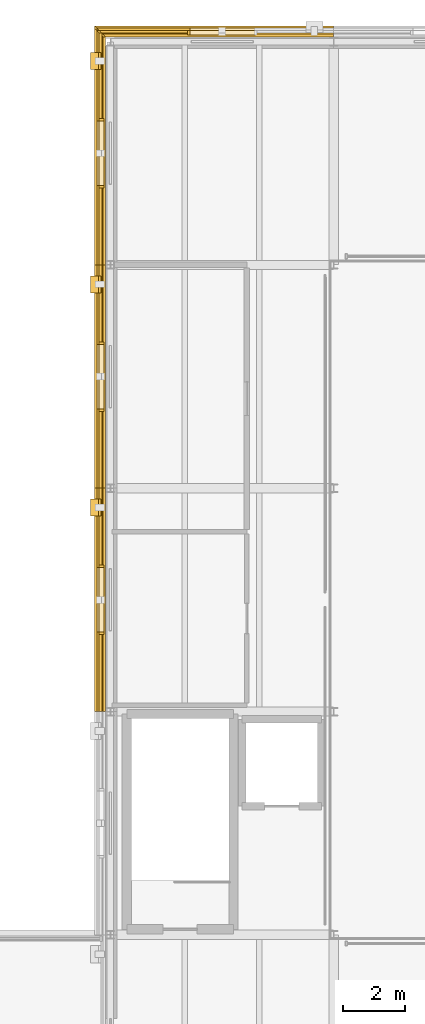
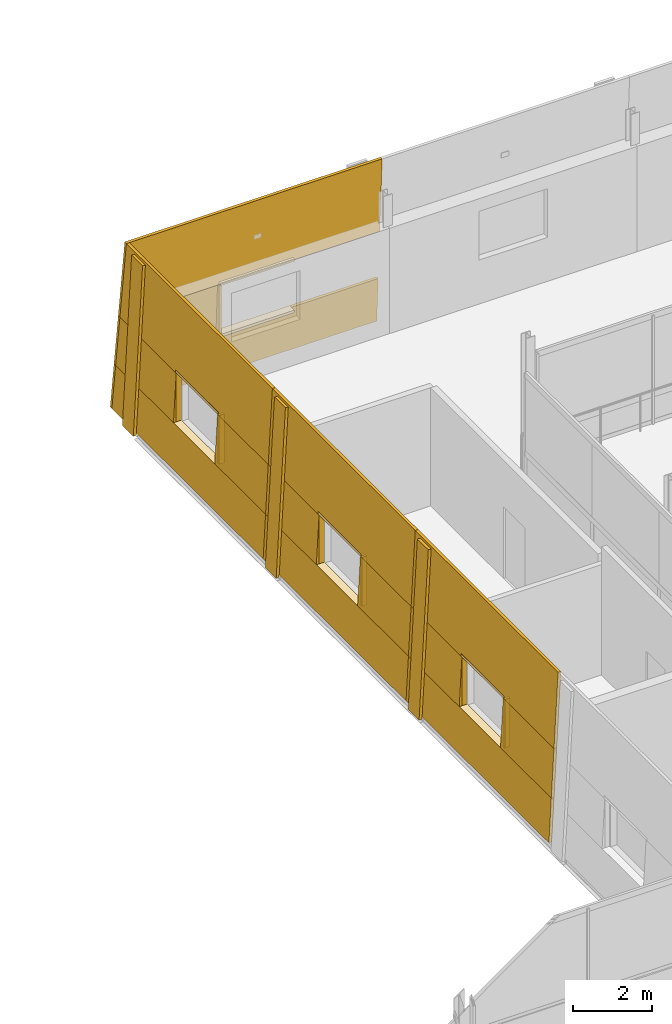
# One storey, part 108 of 115: 33 coverings.
"""IFC4 building model written with IfcOpenShell, lengths in metres."""

from ifc_helpers import new_model, si_unit, direction, frame, origin, place, context, subcontext, project, spatial, polyline, outline, extrude, material, layer, layer_set, type_object, element, save


model = new_model("IFC4")

# Units and contexts
model_context = context("Model", 3, precision=1e-05, world=origin(), true_north=direction((0.0, 1.0)))
body_context = subcontext(model_context, "Body", "Model", "MODEL_VIEW")
ifc_project = project(units=[si_unit("LENGTHUNIT", "METRE"), si_unit("AREAUNIT", "SQUARE_METRE"), si_unit("VOLUMEUNIT", "CUBIC_METRE"), si_unit("PLANEANGLEUNIT", "RADIAN"), si_unit("MASSUNIT", "GRAM", prefix="KILO")], contexts=[model_context])

# Site, building, storey
site_placement = place(None, origin())
site = spatial("IfcSite", under=ifc_project, at=site_placement, CompositionType="ELEMENT")
building_placement = place(site_placement, origin())
building = spatial("IfcBuilding", under=site, at=building_placement, Name="Narikvali Park Central Library", CompositionType="ELEMENT")
storey_placement = place(building_placement, frame((0.0, 0.0, 10.199951171875)))
storey = spatial("IfcBuildingStorey", under=building, at=storey_placement, Name="L02", CompositionType="ELEMENT", Elevation=10.199951171875)

# Coverings
ifc_material = material(Name="White Honed Limestone Cladding", Category="masonry")
ifc_layer_1 = layer(ifc_material, 0.0849609375, Name="White Honed Limestone Cladding")
ifc_layer_set_1 = layer_set([ifc_layer_1], Name="White Honed Limestone Cladding")
covering_type_1 = type_object("IfcCoveringType", Name="Battered White Limestone Facade Cladding Panel", PredefinedType="CLADDING", material=ifc_layer_set_1)
covering_1_placement = place(storey_placement, frame((129.60009765625, 115.70849609375, 0.0), z_axis=(0.0, 0.998637216249, 0.052189178209), x_axis=(-1.0, 0.0, 0.0)))
element("IfcCovering", 1, at=covering_1_placement, inside=storey, type_object=covering_type_1, Name="V3 L02 N Battered Limestone Spandrel B06", PredefinedType="CLADDING", context=body_context, shape_type="SweptSolid", body=[
    extrude(outline(polyline([(0.0, 0.0), (7.70849609375, 0.0), (7.63818359375, 1.3519400581934202), (0.0, 1.3519400581934202), (0.0, 0.0)])), origin(), (0.0, 0.0, -1.0), 0.0849609375),
])
covering_2_placement = place(storey_placement, frame((129.60009765625, 115.559814453125, 2.85009765625), z_axis=(0.0, 0.998644637883, 0.052046971362), x_axis=(-1.0, 0.0, 0.0)))
element("IfcCovering", 2, at=covering_2_placement, inside=storey, type_object=covering_type_1, Name="V3 L02 N Battered Limestone Lintel B06", PredefinedType="CLADDING", context=body_context, shape_type="SweptSolid", body=[
    extrude(outline(polyline([(0.0, 0.0), (7.56005859375, 0.0), (7.440185546875, 2.3031704581133985), (0.0, 2.3031704581133985), (0.0, 0.0)])), origin(), (0.0, 0.0, -1.0), 0.0849609375),
])
covering_3_placement = place(storey_placement, frame((124.9599609375, 115.637939453125, 1.35009765625), z_axis=(0.0, 0.998646416446, 0.05201283419), x_axis=(-1.0, 0.0, 0.0)))
element("IfcCovering", 3, at=covering_3_placement, inside=storey, type_object=covering_type_1, Name="V3 L02 N Battered Limestone Jamb Pier R B06", PredefinedType="CLADDING", context=body_context, shape_type="SweptSolid", body=[
    extrude(outline(polyline([(0.0, 0.0), (2.998046875, 0.0), (2.919921875, 1.5020331273394074), (0.0, 1.5020331273394074), (0.0, 0.0)])), origin(), (0.0, 0.0, -1.0), 0.0849609375),
])
covering_4_placement = place(storey_placement, frame((121.751708984375, 114.85009765625, 0.0), z_axis=(-0.998645673528, 0.0, 0.052027096241), x_axis=(0.0, -1.0, 0.0)))
element("IfcCovering", 4, at=covering_4_placement, inside=storey, type_object=covering_type_1, Name="V3 L02 W Classical Limestone Pilaster B01", PredefinedType="CLADDING", context=body_context, shape_type="SweptSolid", body=[
    extrude(outline(polyline([(0.0, 0.0), (0.550048828125, 0.0), (0.550048828125, 5.157130923302659), (0.0, 5.157130923302659), (0.0, 0.0)])), origin(), (0.0, 0.0, -1.0), 0.0849609375),
])
covering_5_placement = place(storey_placement, frame((121.8916015625, 115.623291015625, 0.0), z_axis=(-0.998646611858, 0.0, 0.052009082137), x_axis=(0.0, -1.0, 0.0)))
element("IfcCovering", 5, at=covering_5_placement, inside=storey, type_object=covering_type_1, Name="V3 L02 W Battered Limestone Spandrel B01", PredefinedType="CLADDING", context=body_context, shape_type="SweptSolid", body=[
    extrude(outline(polyline([(0.0, 0.0), (7.623291015625, 0.0), (7.623291015625, 1.3519273386791146), (0.0703125, 1.3519273386791146), (0.0, 0.0)])), origin(), (0.0, 0.0, -1.0), 0.0849609375),
])
covering_6_placement = place(storey_placement, frame((122.0400390625, 115.474853515625, 2.85009765625), z_axis=(-0.998644637883, 0.0, 0.052046971362), x_axis=(0.0, -1.0, 0.0)))
element("IfcCovering", 6, at=covering_6_placement, inside=storey, type_object=covering_type_1, Name="V3 L02 W Battered Limestone Lintel B01", PredefinedType="CLADDING", context=body_context, shape_type="SweptSolid", body=[
    extrude(outline(polyline([(0.0, 0.0), (7.474853515625, 0.0), (7.474853515625, 2.3031704581133985), (0.119873046875, 2.3031704581133985), (0.0, 0.0)])), origin(), (0.0, 0.0, -1.0), 0.0849609375),
])
covering_7_placement = place(storey_placement, frame((121.9619140625, 115.552978515625, 1.35009765625), z_axis=(-0.998646416446, 0.0, 0.05201283419), x_axis=(0.0, -1.0, 0.0)))
element("IfcCovering", 7, at=covering_7_placement, inside=storey, type_object=covering_type_1, Name="V3 L02 W Battered Limestone Jamb Pier L B01", PredefinedType="CLADDING", context=body_context, shape_type="SweptSolid", body=[
    extrude(outline(polyline([(0.0, 0.0), (2.9130859375, 0.0), (2.9130859375, 1.5020331273394074), (0.078125, 1.5020331273394074), (0.0, 0.0)])), origin(), (0.0, 0.0, -1.0), 0.0849609375),
])
covering_8_placement = place(storey_placement, frame((121.9619140625, 110.56005859375, 1.35009765625), z_axis=(-0.998646416446, 0.0, 0.05201283419), x_axis=(0.0, -1.0, 0.0)))
element("IfcCovering", 8, at=covering_8_placement, inside=storey, type_object=covering_type_1, Name="V3 L02 W Battered Limestone Jamb Pier R B01", PredefinedType="CLADDING", context=body_context, shape_type="SweptSolid", body=[
    extrude(outline(polyline([(0.0, 0.0), (2.56005859375, 0.0), (2.56005859375, 1.5020331273394072), (0.0, 1.5020331273394072), (0.0, 0.0)])), origin(), (0.0, 0.0, -1.0), 0.0849609375),
])
covering_9_placement = place(storey_placement, frame((121.751708984375, 107.64990234375, 0.0), z_axis=(-0.998645673528, 0.0, 0.052027096241), x_axis=(0.0, -1.0, 0.0)))
element("IfcCovering", 9, at=covering_9_placement, inside=storey, type_object=covering_type_1, Name="V3 L02 W Classical Limestone Pilaster B02", PredefinedType="CLADDING", context=body_context, shape_type="SweptSolid", body=[
    extrude(outline(polyline([(0.0, 0.0), (0.5498046875, 0.0), (0.5498046875, 5.157130923302659), (0.0, 5.157130923302659), (0.0, 0.0)])), origin(), (0.0, 0.0, -1.0), 0.0849609375),
])
covering_10_placement = place(storey_placement, frame((121.8916015625, 108.0, 0.0), z_axis=(-0.998646611858, 0.0, 0.052009082137), x_axis=(0.0, -1.0, 0.0)))
element("IfcCovering", 10, at=covering_10_placement, inside=storey, type_object=covering_type_1, Name="V3 L02 W Battered Limestone Spandrel B02", PredefinedType="CLADDING", context=body_context, shape_type="SweptSolid", body=[
    extrude(outline(polyline([(0.0, 0.0), (7.199951171875, 0.0), (7.199951171875, 1.3519273386791144), (0.0, 1.3519273386791144), (0.0, 0.0)])), origin(), (0.0, 0.0, -1.0), 0.0849609375),
])
covering_11_placement = place(storey_placement, frame((122.0400390625, 108.0, 2.85009765625), z_axis=(-0.998644637883, 0.0, 0.052046971362), x_axis=(0.0, -1.0, 0.0)))
element("IfcCovering", 11, at=covering_11_placement, inside=storey, type_object=covering_type_1, Name="V3 L02 W Battered Limestone Lintel B02", PredefinedType="CLADDING", context=body_context, shape_type="SweptSolid", body=[
    extrude(outline(polyline([(0.0, 0.0), (7.199951171875, 0.0), (7.199951171875, 2.3031704581133985), (0.0, 2.3031704581133985), (0.0, 0.0)])), origin(), (0.0, 0.0, -1.0), 0.0849609375),
])
for number, where, z_axis, x_axis, name in (
    (12, (121.9619140625, 108.0, 1.35009765625), (-0.998646416446, 0.0, 0.05201283419), (0.0, -1.0, 0.0), "V3 L02 W Battered Limestone Jamb Pier L B02"),
    (13, (121.9619140625, 103.360107421875, 1.35009765625), (-0.998646416446, 0.0, 0.05201283419), (0.0, -1.0, 0.0), "V3 L02 W Battered Limestone Jamb Pier R B02"),
):
    element("IfcCovering", number, at=place(storey_placement, frame(where, z_axis=z_axis, x_axis=x_axis)), inside=storey, type_object=covering_type_1, Name=name, PredefinedType="CLADDING", context=body_context, shape_type="SweptSolid", body=[
        extrude(outline(polyline([(0.0, 0.0), (2.56005859375, 0.0), (2.56005859375, 1.5020331273394072), (0.0, 1.5020331273394072), (0.0, 0.0)])), origin(), (0.0, 0.0, -1.0), 0.0849609375),
    ])
covering_12_placement = place(storey_placement, frame((121.751708984375, 100.449951171875, 0.0), z_axis=(-0.998645673528, 0.0, 0.052027096241), x_axis=(0.0, -1.0, 0.0)))
element("IfcCovering", 14, at=covering_12_placement, inside=storey, type_object=covering_type_1, Name="V3 L02 W Classical Limestone Pilaster B03", PredefinedType="CLADDING", context=body_context, shape_type="SweptSolid", body=[
    extrude(outline(polyline([(0.0, 0.0), (0.550048828125, 0.0), (0.550048828125, 5.157130923302659), (0.0, 5.157130923302659), (0.0, 0.0)])), origin(), (0.0, 0.0, -1.0), 0.0849609375),
])
covering_13_placement = place(storey_placement, frame((121.8916015625, 100.800048828125, 0.0), z_axis=(-0.998646611858, 0.0, 0.052009082137), x_axis=(0.0, -1.0, 0.0)))
element("IfcCovering", 15, at=covering_13_placement, inside=storey, type_object=covering_type_1, Name="V3 L02 W Battered Limestone Spandrel B03", PredefinedType="CLADDING", context=body_context, shape_type="SweptSolid", body=[
    extrude(outline(polyline([(0.0, 0.0), (7.199951171875, 0.0), (7.199951171875, 1.3519273386791144), (0.0, 1.3519273386791144), (0.0, 0.0)])), origin(), (0.0, 0.0, -1.0), 0.0849609375),
])
covering_14_placement = place(storey_placement, frame((122.0400390625, 100.800048828125, 2.85009765625), z_axis=(-0.998644637883, 0.0, 0.052046971362), x_axis=(0.0, -1.0, 0.0)))
element("IfcCovering", 16, at=covering_14_placement, inside=storey, type_object=covering_type_1, Name="V3 L02 W Battered Limestone Lintel B03", PredefinedType="CLADDING", context=body_context, shape_type="SweptSolid", body=[
    extrude(outline(polyline([(0.0, 0.0), (7.199951171875, 0.0), (7.199951171875, 2.3031704581133985), (0.0, 2.3031704581133985), (0.0, 0.0)])), origin(), (0.0, 0.0, -1.0), 0.0849609375),
])
covering_15_placement = place(storey_placement, frame((121.9619140625, 100.800048828125, 1.35009765625), z_axis=(-0.998646416446, 0.0, 0.05201283419), x_axis=(0.0, -1.0, 0.0)))
element("IfcCovering", 17, at=covering_15_placement, inside=storey, type_object=covering_type_1, Name="V3 L02 W Battered Limestone Jamb Pier L B03", PredefinedType="CLADDING", context=body_context, shape_type="SweptSolid", body=[
    extrude(outline(polyline([(0.0, 0.0), (2.56005859375, 0.0), (2.56005859375, 1.5020331273394072), (0.0, 1.5020331273394072), (0.0, 0.0)])), origin(), (0.0, 0.0, -1.0), 0.0849609375),
])
covering_16_placement = place(storey_placement, frame((121.9619140625, 96.159912109375, 1.35009765625), z_axis=(-0.998646416446, 0.0, 0.05201283419), x_axis=(0.0, -1.0, 0.0)))
element("IfcCovering", 18, at=covering_16_placement, inside=storey, type_object=covering_type_1, Name="V3 L02 W Battered Limestone Jamb Pier R B03", PredefinedType="CLADDING", context=body_context, shape_type="SweptSolid", body=[
    extrude(outline(polyline([(0.0, 0.0), (2.559814453125, 0.0), (2.559814453125, 1.5020331273394074), (0.0, 1.5020331273394074), (0.0, 0.0)])), origin(), (0.0, 0.0, -1.0), 0.0849609375),
])
ifc_layer_2 = layer(ifc_material, 0.080078125, Name="White Honed Limestone Cladding")
ifc_layer_set_2 = layer_set([ifc_layer_2], Name="White Honed Limestone Cladding")
covering_type_2 = type_object("IfcCoveringType", Name="Deep Carved White Limestone Window Reveal", PredefinedType="CLADDING", material=ifc_layer_set_2)
covering_17_placement = place(storey_placement, frame((0.0, 0.0, 2.85009765625)))
element("IfcCovering", 19, at=covering_17_placement, inside=storey, type_object=covering_type_2, Name="Deep Stone Reveal Head V3-RVL-L02-N-B06", PredefinedType="CLADDING", context=body_context, shape_type="SweptSolid", body=[
    extrude(outline(polyline([(127.080078125, 115.405029296875), (124.919921875, 115.405029296875), (124.919921875, 115.559814453125), (127.080078125, 115.559814453125), (127.080078125, 115.405029296875)])), origin(), (0.0, 0.0, 1.0), 0.079833984375),
])
covering_18_placement = place(storey_placement, frame((0.0, 0.0, 1.27001953125)))
element("IfcCovering", 20, at=covering_18_placement, inside=storey, type_object=covering_type_2, Name="Deep Stone Reveal Sill V3-RVL-L02-N-B06", PredefinedType="CLADDING", context=body_context, shape_type="SweptSolid", body=[
    extrude(outline(polyline([(127.080078125, 115.405029296875), (124.919921875, 115.405029296875), (124.919921875, 115.637939453125), (127.080078125, 115.637939453125), (127.080078125, 115.405029296875)])), origin(), (0.0, 0.0, 1.0), 0.080078125),
])
covering_19_placement = place(storey_placement, frame((0.0, 0.0, 1.35009765625)))
element("IfcCovering", 21, at=covering_19_placement, inside=storey, type_object=covering_type_2, Name="Deep Stone Reveal Jamb R V3-RVL-L02-N-B06", PredefinedType="CLADDING", context=body_context, shape_type="SweptSolid", body=[
    extrude(outline(polyline([(124.9599609375, 115.405029296875), (124.8798828125, 115.405029296875), (124.8798828125, 115.559814453125), (124.9599609375, 115.559814453125), (124.9599609375, 115.405029296875)])), origin(), (0.0, 0.0, 1.0), 1.5),
])
covering_20_placement = place(storey_placement, frame((0.0, 0.0, 2.85009765625)))
element("IfcCovering", 22, at=covering_20_placement, inside=storey, type_object=covering_type_2, Name="Deep Stone Reveal Head V3-RVL-L02-W-B01", PredefinedType="CLADDING", context=body_context, shape_type="SweptSolid", body=[
    extrude(outline(polyline([(122.195068359375, 112.679931640625), (122.195068359375, 110.52001953125), (122.0400390625, 110.52001953125), (122.0400390625, 112.679931640625), (122.195068359375, 112.679931640625)])), origin(), (0.0, 0.0, 1.0), 0.079833984375),
])
covering_21_placement = place(storey_placement, frame((0.0, 0.0, 1.27001953125)))
element("IfcCovering", 23, at=covering_21_placement, inside=storey, type_object=covering_type_2, Name="Deep Stone Reveal Sill V3-RVL-L02-W-B01", PredefinedType="CLADDING", context=body_context, shape_type="SweptSolid", body=[
    extrude(outline(polyline([(122.195068359375, 112.679931640625), (122.195068359375, 110.52001953125), (121.9619140625, 110.52001953125), (121.9619140625, 112.679931640625), (122.195068359375, 112.679931640625)])), origin(), (0.0, 0.0, 1.0), 0.080078125),
])
covering_22_placement = place(storey_placement, frame((0.0, 0.0, 1.35009765625)))
element("IfcCovering", 24, at=covering_22_placement, inside=storey, type_object=covering_type_2, Name="Deep Stone Reveal Jamb L V3-RVL-L02-W-B01", PredefinedType="CLADDING", context=body_context, shape_type="SweptSolid", body=[
    extrude(outline(polyline([(122.195068359375, 112.719970703125), (122.195068359375, 112.639892578125), (122.0400390625, 112.639892578125), (122.0400390625, 112.719970703125), (122.195068359375, 112.719970703125)])), origin(), (0.0, 0.0, 1.0), 1.5),
])
covering_23_placement = place(storey_placement, frame((0.0, 0.0, 1.35009765625)))
element("IfcCovering", 25, at=covering_23_placement, inside=storey, type_object=covering_type_2, Name="Deep Stone Reveal Jamb R V3-RVL-L02-W-B01", PredefinedType="CLADDING", context=body_context, shape_type="SweptSolid", body=[
    extrude(outline(polyline([(122.195068359375, 110.56005859375), (122.195068359375, 110.47998046875), (122.0400390625, 110.47998046875), (122.0400390625, 110.56005859375), (122.195068359375, 110.56005859375)])), origin(), (0.0, 0.0, 1.0), 1.5),
])
covering_24_placement = place(storey_placement, frame((0.0, 0.0, 2.85009765625)))
element("IfcCovering", 26, at=covering_24_placement, inside=storey, type_object=covering_type_2, Name="Deep Stone Reveal Head V3-RVL-L02-W-B02", PredefinedType="CLADDING", context=body_context, shape_type="SweptSolid", body=[
    extrude(outline(polyline([(122.195068359375, 105.47998046875), (122.195068359375, 103.320068359375), (122.0400390625, 103.320068359375), (122.0400390625, 105.47998046875), (122.195068359375, 105.47998046875)])), origin(), (0.0, 0.0, 1.0), 0.079833984375),
])
covering_25_placement = place(storey_placement, frame((0.0, 0.0, 1.27001953125)))
element("IfcCovering", 27, at=covering_25_placement, inside=storey, type_object=covering_type_2, Name="Deep Stone Reveal Sill V3-RVL-L02-W-B02", PredefinedType="CLADDING", context=body_context, shape_type="SweptSolid", body=[
    extrude(outline(polyline([(122.195068359375, 105.47998046875), (122.195068359375, 103.320068359375), (121.9619140625, 103.320068359375), (121.9619140625, 105.47998046875), (122.195068359375, 105.47998046875)])), origin(), (0.0, 0.0, 1.0), 0.080078125),
])
covering_26_placement = place(storey_placement, frame((0.0, 0.0, 1.35009765625)))
element("IfcCovering", 28, at=covering_26_placement, inside=storey, type_object=covering_type_2, Name="Deep Stone Reveal Jamb L V3-RVL-L02-W-B02", PredefinedType="CLADDING", context=body_context, shape_type="SweptSolid", body=[
    extrude(outline(polyline([(122.195068359375, 105.52001953125), (122.195068359375, 105.43994140625), (122.0400390625, 105.43994140625), (122.0400390625, 105.52001953125), (122.195068359375, 105.52001953125)])), origin(), (0.0, 0.0, 1.0), 1.5),
])
covering_27_placement = place(storey_placement, frame((0.0, 0.0, 1.35009765625)))
element("IfcCovering", 29, at=covering_27_placement, inside=storey, type_object=covering_type_2, Name="Deep Stone Reveal Jamb R V3-RVL-L02-W-B02", PredefinedType="CLADDING", context=body_context, shape_type="SweptSolid", body=[
    extrude(outline(polyline([(122.195068359375, 103.360107421875), (122.195068359375, 103.280029296875), (122.0400390625, 103.280029296875), (122.0400390625, 103.360107421875), (122.195068359375, 103.360107421875)])), origin(), (0.0, 0.0, 1.0), 1.5),
])
covering_28_placement = place(storey_placement, frame((0.0, 0.0, 2.85009765625)))
element("IfcCovering", 30, at=covering_28_placement, inside=storey, type_object=covering_type_2, Name="Deep Stone Reveal Head V3-RVL-L02-W-B03", PredefinedType="CLADDING", context=body_context, shape_type="SweptSolid", body=[
    extrude(outline(polyline([(122.195068359375, 98.280029296875), (122.195068359375, 96.1201171875), (122.0400390625, 96.1201171875), (122.0400390625, 98.280029296875), (122.195068359375, 98.280029296875)])), origin(), (0.0, 0.0, 1.0), 0.079833984375),
])
covering_29_placement = place(storey_placement, frame((0.0, 0.0, 1.27001953125)))
element("IfcCovering", 31, at=covering_29_placement, inside=storey, type_object=covering_type_2, Name="Deep Stone Reveal Sill V3-RVL-L02-W-B03", PredefinedType="CLADDING", context=body_context, shape_type="SweptSolid", body=[
    extrude(outline(polyline([(122.195068359375, 98.280029296875), (122.195068359375, 96.1201171875), (121.9619140625, 96.1201171875), (121.9619140625, 98.280029296875), (122.195068359375, 98.280029296875)])), origin(), (0.0, 0.0, 1.0), 0.080078125),
])
covering_30_placement = place(storey_placement, frame((0.0, 0.0, 1.35009765625)))
element("IfcCovering", 32, at=covering_30_placement, inside=storey, type_object=covering_type_2, Name="Deep Stone Reveal Jamb L V3-RVL-L02-W-B03", PredefinedType="CLADDING", context=body_context, shape_type="SweptSolid", body=[
    extrude(outline(polyline([(122.195068359375, 98.320068359375), (122.195068359375, 98.239990234375), (122.0400390625, 98.239990234375), (122.0400390625, 98.320068359375), (122.195068359375, 98.320068359375)])), origin(), (0.0, 0.0, 1.0), 1.5),
])
covering_31_placement = place(storey_placement, frame((0.0, 0.0, 1.35009765625)))
element("IfcCovering", 33, at=covering_31_placement, inside=storey, type_object=covering_type_2, Name="Deep Stone Reveal Jamb R V3-RVL-L02-W-B03", PredefinedType="CLADDING", context=body_context, shape_type="SweptSolid", body=[
    extrude(outline(polyline([(122.195068359375, 96.159912109375), (122.195068359375, 96.080078125), (122.0400390625, 96.080078125), (122.0400390625, 96.159912109375), (122.195068359375, 96.159912109375)])), origin(), (0.0, 0.0, 1.0), 1.5),
])

save(model, "model.ifc")
